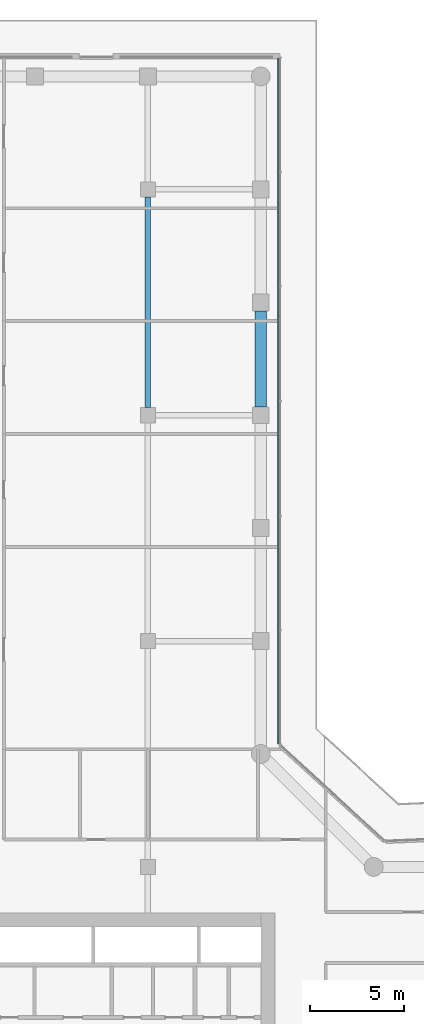
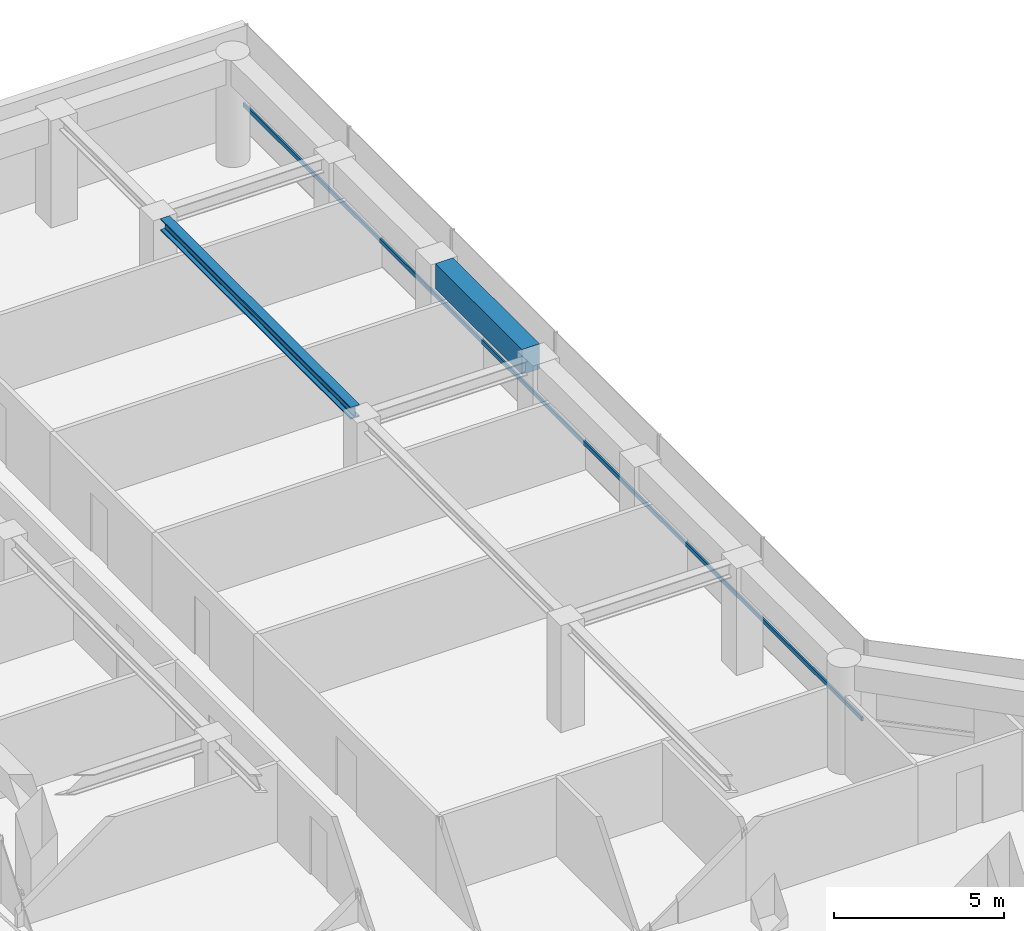
# One storey, part 16 of 24: 2 beams, 1 member, 1 element without a shape of its own.
"""IFC4 building model written with IfcOpenShell, lengths in metres."""

from ifc_helpers import new_model, si_unit, direction, frame, origin, origin_2d, place, context, subcontext, project, spatial, rectangle, i_section, extrude, material, layer, layer_set, material_profile, profile_set, type_object, element, aggregate, save


model = new_model("IFC4")

# Units and contexts
model_context = context("Model", 3, precision=1e-05, world=origin(), true_north=direction((0.0, 1.0)))
body_context = subcontext(model_context, "Body", "Model", "MODEL_VIEW")
ifc_project = project(units=[si_unit("LENGTHUNIT", "METRE"), si_unit("AREAUNIT", "SQUARE_METRE"), si_unit("VOLUMEUNIT", "CUBIC_METRE"), si_unit("PLANEANGLEUNIT", "RADIAN"), si_unit("MASSUNIT", "GRAM", prefix="KILO")], contexts=[model_context])

# Site, building, storey
site_placement = place(None, origin())
site = spatial("IfcSite", under=ifc_project, at=site_placement, CompositionType="ELEMENT")
building_placement = place(site_placement, origin())
building = spatial("IfcBuilding", under=site, at=building_placement, Name="Welwitschia Terrace Campus", CompositionType="ELEMENT")
storey_placement = place(building_placement, frame((0.0, 0.0, 100.39990234375)))
storey = spatial("IfcBuildingStorey", under=building, at=storey_placement, Name="L22", CompositionType="ELEMENT", Elevation=100.39990234375)

# Beams
ifc_material_1 = material(Name="Steel S355", Category="steel")
ifc_material_profile_1 = material_profile(ifc_material_1, i_section(OverallWidth=0.306884765625, OverallDepth=0.431884765625, WebThickness=0.02099609375, FlangeThickness=0.0400390625, FilletRadius=0.027099609375, at=origin_2d()))
ifc_profile_set_1 = profile_set([ifc_material_profile_1], Name="Steel S355")
beam_type_1 = type_object("IfcBeamType", Name="Interior girder HE 400 M", PredefinedType="BEAM", material=ifc_profile_set_1)
beam_1_placement = place(storey_placement, frame((18.0, 52.400390625, 3.634033203125), z_axis=(0.0, 1.0, 0.0), x_axis=(-1.0, 0.0, 0.0)))
element("IfcBeam", 1, at=beam_1_placement, inside=storey, type_object=beam_type_1, Name="Girder GB3", PredefinedType="BEAM", context=body_context, shape_type="SweptSolid", body=[
    extrude(i_section(OverallWidth=0.306884765625, OverallDepth=0.431884765625, WebThickness=0.02099609375, FlangeThickness=0.0400390625, FilletRadius=0.027099609375, at=origin_2d()), origin(), (0.0, 0.0, 1.0), 11.19921875),
])
ifc_material_2 = material(Name="Concrete C60/75", Category="concrete")
ifc_material_profile_2 = material_profile(ifc_material_2, rectangle(XDim=0.60009765625, YDim=0.89990234375, at=origin_2d()))
ifc_profile_set_2 = profile_set([ifc_material_profile_2], Name="Concrete C60/75")
beam_type_2 = type_object("IfcBeamType", Name="Ring spandrel 600x900", PredefinedType="SPANDREL", material=ifc_profile_set_2)
beam_2_placement = place(storey_placement, frame((24.0, 52.450439453125, 3.400146484375), z_axis=(0.0, 1.0, 0.0), x_axis=(-1.0, 0.0, 0.0)))
element("IfcBeam", 2, at=beam_2_placement, inside=storey, type_object=beam_type_2, Name="Spandrel SP2", PredefinedType="SPANDREL", context=body_context, shape_type="SweptSolid", body=[
    extrude(rectangle(XDim=0.60009765625, YDim=0.89990234375, at=origin_2d()), origin(), (0.0, 0.0, 1.0), 5.09912109375),
])

# Curtain wall, member
ifc_material_3 = material(Name="Bronze anodised aluminium", Category="aluminium")
ifc_layer = layer(ifc_material_3, 0.1201171875)
ifc_layer_set = layer_set([ifc_layer], Name="Bronze anodised aluminium")
curtain_wall_type = type_object("IfcCurtainWallType", Name="Curtain wall CW2 tower 6000", PredefinedType="NOTDEFINED", material=ifc_layer_set)
curtain_wall_placement = place(storey_placement, origin())
curtain_wall = element("IfcCurtainWall", 3, at=curtain_wall_placement, inside=storey, type_object=curtain_wall_type, Name="CW L22.9.0", PredefinedType="NOTDEFINED")
ifc_material_4 = material(Name="Bronze anodised aluminium", Category="aluminium")
ifc_material_profile_3 = material_profile(ifc_material_4, rectangle(XDim=0.06005859375, YDim=0.14990234375, at=origin_2d()))
ifc_profile_set_3 = profile_set([ifc_material_profile_3], Name="Bronze anodised aluminium")
member_type = type_object("IfcMemberType", Name="Transom 60x150", PredefinedType="USERDEFINED", material=ifc_profile_set_3)
member_placement = place(storey_placement, frame((24.93994140625, 34.5361328125, 1.0), z_axis=(0.0, 1.0, 0.0), x_axis=(-1.0, 0.0, 0.0)))
member = element("IfcMember", 4, at=member_placement, type_object=member_type, Name="Transom L22.9.0", ObjectType="TRANSOM", PredefinedType="USERDEFINED", context=body_context, shape_type="SweptSolid", body=[
    extrude(rectangle(XDim=0.06005859375, YDim=0.14990234375, at=origin_2d()), origin(), (0.0, 0.0, 1.0), 36.433837890625),
])
aggregate(curtain_wall, [member])

save(model, "model.ifc")
